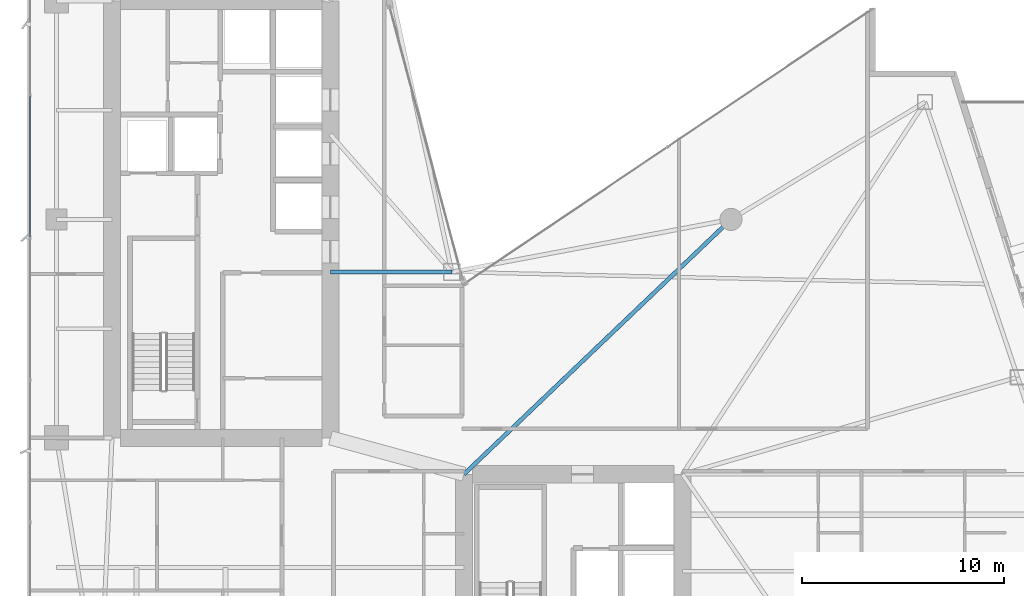
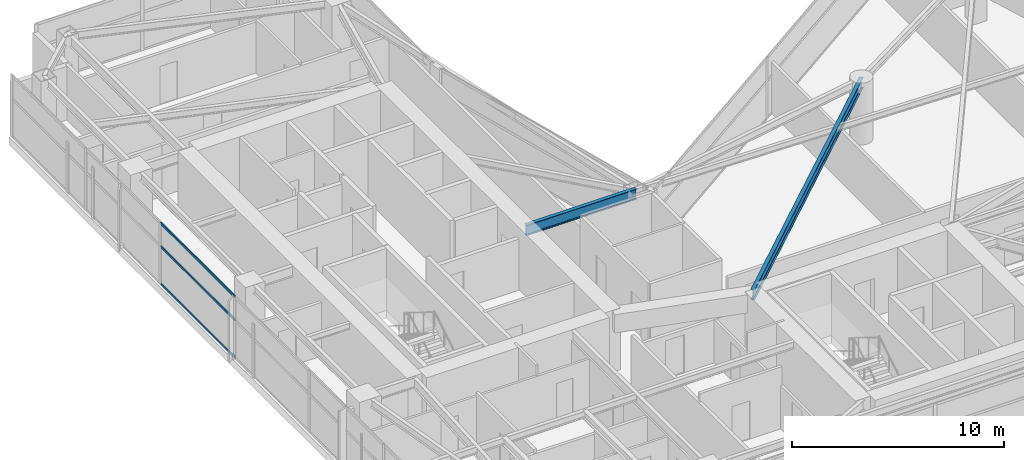
# One storey, part 10 of 30: 3 members, 2 beams, 1 element without a shape of its own.
"""IFC4 building model written with IfcOpenShell, lengths in metres."""

from ifc_helpers import new_model, si_unit, direction, frame, origin, origin_2d, place, context, subcontext, project, spatial, hollow_rectangle, i_section, extrude, material, layer, layer_set, material_profile, profile_set, type_object, element, aggregate, save


model = new_model("IFC4")

# Units and contexts
model_context = context("Model", 3, precision=1e-05, world=origin(), true_north=direction((0.0, 1.0)))
body_context = subcontext(model_context, "Body", "Model", "MODEL_VIEW")
ifc_project = project(units=[si_unit("LENGTHUNIT", "METRE"), si_unit("AREAUNIT", "SQUARE_METRE"), si_unit("VOLUMEUNIT", "CUBIC_METRE"), si_unit("PLANEANGLEUNIT", "RADIAN"), si_unit("MASSUNIT", "GRAM", prefix="KILO")], contexts=[model_context])

# Site, building, storey
site_placement = place(None, origin())
site = spatial("IfcSite", under=ifc_project, at=site_placement, CompositionType="ELEMENT")
building_placement = place(site_placement, origin())
building = spatial("IfcBuilding", under=site, at=building_placement, Name="Calvorn Quay Hotel", CompositionType="ELEMENT")
storey_placement = place(building_placement, frame((0.0, 0.0, 191.300048828125)))
storey = spatial("IfcBuildingStorey", under=building, at=storey_placement, Name="L47", CompositionType="ELEMENT", Elevation=191.300048828125)

# Beams
ifc_material_1 = material(Name="Steel Q355B", Category="steel")
ifc_material_profile_1 = material_profile(ifc_material_1, i_section(OverallWidth=0.199951171875, OverallDepth=0.60009765625, WebThickness=0.010986328125, FlangeThickness=0.01708984375, FilletRadius=0.01806640625, at=origin_2d()), Name="HN600x200x11x17")
ifc_profile_set_1 = profile_set([ifc_material_profile_1], Name="Steel Q355B")
beam_type = type_object("IfcBeamType", Name="BM-GIRD-TYP", PredefinedType="BEAM", material=ifc_profile_set_1)
beam_1_placement = place(storey_placement, frame((21.0, 25.0, 3.239990234375), z_axis=(-1.0, 0.0, 0.0), x_axis=(0.0, -1.0, 0.0)))
element("IfcBeam", 1, at=beam_1_placement, inside=storey, type_object=beam_type, Name="Beam BG-L47-W7", PredefinedType="BEAM", context=body_context, shape_type="SweptSolid", body=[
    extrude(i_section(OverallWidth=0.199951171875, OverallDepth=0.60009765625, WebThickness=0.010986328125, FlangeThickness=0.01708984375, FilletRadius=0.01806640625, at=origin_2d()), origin(), (0.0, 0.0, 1.0), 6.0),
])
beam_2_placement = place(storey_placement, frame((21.60009765625, 15.0, 3.239990234375), z_axis=(0.723351595578, 0.690479883252, 0.0), x_axis=(-0.690479883252, 0.723351595578, 0.0)))
element("IfcBeam", 2, at=beam_2_placement, inside=storey, type_object=beam_type, Name="Beam BG-L47-E4", PredefinedType="BEAM", context=body_context, shape_type="SweptSolid", body=[
    extrude(i_section(OverallWidth=0.199951171875, OverallDepth=0.60009765625, WebThickness=0.010986328125, FlangeThickness=0.01708984375, FilletRadius=0.01806640625, at=origin_2d()), origin(), (0.0, 0.0, 1.0), 18.248291015625),
])

# Curtain wall, members
ifc_material_2 = material(Name="Champagne Bronze Anodised Aluminium and Low-E Glass", Category="aluminium")
ifc_layer = layer(ifc_material_2, 0.219970703125)
ifc_layer_set = layer_set([ifc_layer], Name="CW-SYS-Z3")
curtain_wall_type = type_object("IfcCurtainWallType", Name="CW-SYS-Z3", PredefinedType="NOTDEFINED", material=ifc_layer_set)
curtain_wall_placement = place(storey_placement, origin())
curtain_wall = element("IfcCurtainWall", 3, at=curtain_wall_placement, inside=storey, type_object=curtain_wall_type, Name="Tower West Curtain Wall (L47)", PredefinedType="NOTDEFINED")
ifc_material_3 = material(Name="Champagne Bronze Anodised Aluminium 6063-T6", Category="aluminium")
ifc_material_profile_2 = material_profile(ifc_material_3, hollow_rectangle(XDim=0.05810546875, YDim=0.139892578125, WallThickness=0.003173828125, at=origin_2d()), Name="ALU-T140x58x3.2")
ifc_profile_set_2 = profile_set([ifc_material_profile_2], Name="Champagne Bronze Anodised Aluminium 6063-T6")
member_type = type_object("IfcMemberType", Name="CW-SYS-Z3-TRN", PredefinedType="USERDEFINED", material=ifc_profile_set_2)
member_1_placement = place(storey_placement, frame((0.14990234375, 26.72998046875, 0.030029296875), z_axis=(0.0, 1.0, 0.0), x_axis=(-1.0, 0.0, 0.0)))
member_1 = element("IfcMember", 4, at=member_1_placement, type_object=member_type, Name="CW-L47-W transom 4.1", ObjectType="TRANSOM", PredefinedType="USERDEFINED", context=body_context, shape_type="SweptSolid", body=[
    extrude(hollow_rectangle(XDim=0.05810546875, YDim=0.139892578125, WallThickness=0.003173828125, at=origin_2d()), origin(), (0.0, 0.0, 1.0), 6.973388671875),
])
member_2_placement = place(storey_placement, frame((0.14990234375, 26.72998046875, 2.199951171875), z_axis=(0.0, 1.0, 0.0), x_axis=(-1.0, 0.0, 0.0)))
member_2 = element("IfcMember", 5, at=member_2_placement, type_object=member_type, Name="CW-L47-W transom 4.2", ObjectType="TRANSOM", PredefinedType="USERDEFINED", context=body_context, shape_type="SweptSolid", body=[
    extrude(hollow_rectangle(XDim=0.05810546875, YDim=0.139892578125, WallThickness=0.003173828125, at=origin_2d()), origin(), (0.0, 0.0, 1.0), 6.973388671875),
])
member_3_placement = place(storey_placement, frame((0.14990234375, 26.72998046875, 3.530029296875), z_axis=(0.0, 1.0, 0.0), x_axis=(-1.0, 0.0, 0.0)))
member_3 = element("IfcMember", 6, at=member_3_placement, type_object=member_type, Name="CW-L47-W transom 4.3", ObjectType="TRANSOM", PredefinedType="USERDEFINED", context=body_context, shape_type="SweptSolid", body=[
    extrude(hollow_rectangle(XDim=0.05810546875, YDim=0.139892578125, WallThickness=0.003173828125, at=origin_2d()), origin(), (0.0, 0.0, 1.0), 6.973388671875),
])
aggregate(curtain_wall, [member_1, member_2, member_3])

save(model, "model.ifc")
